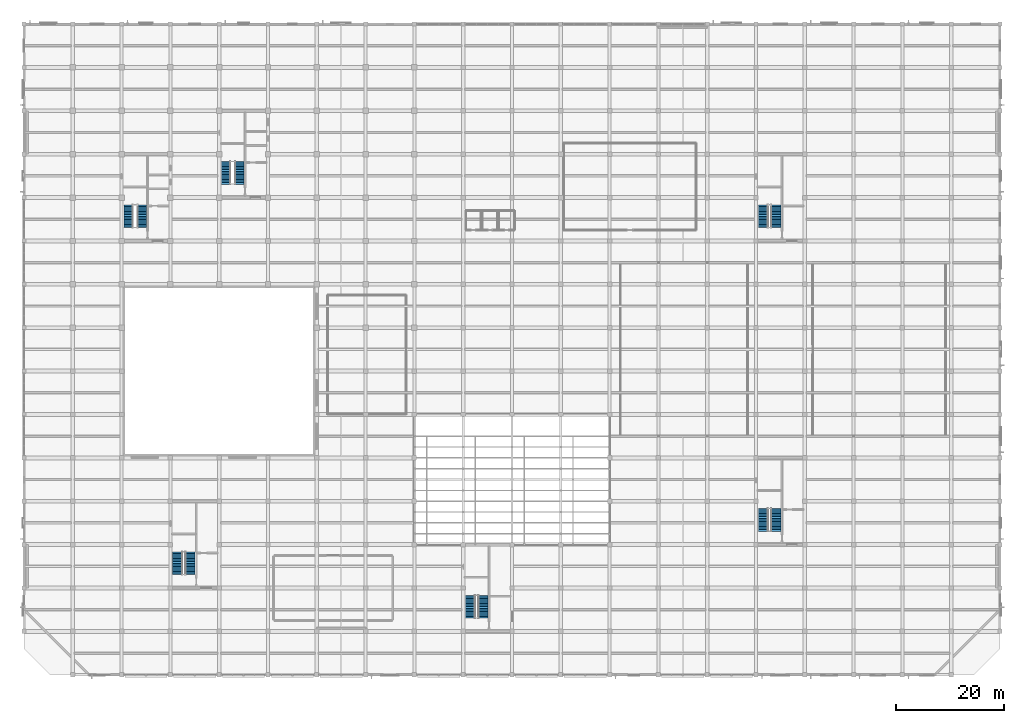
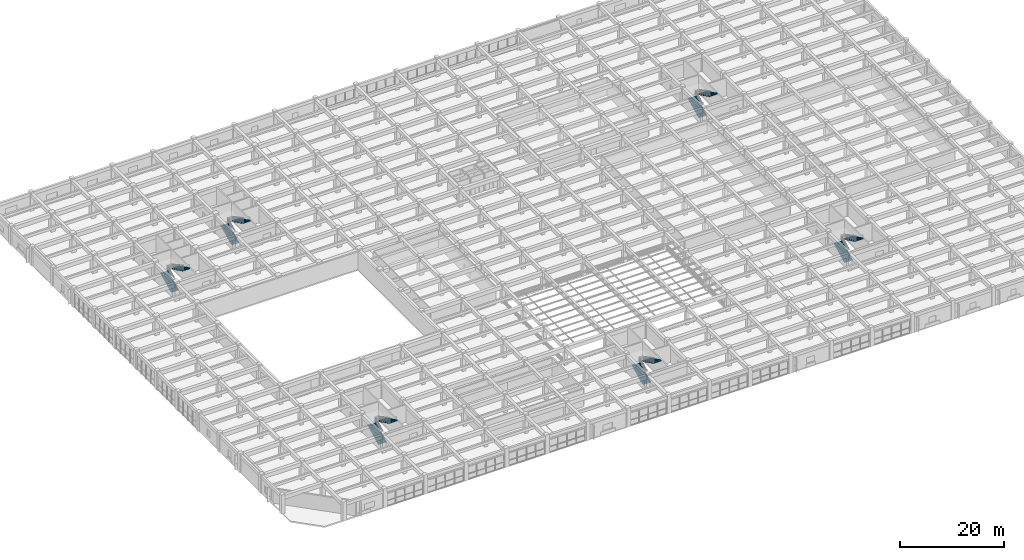
# One storey, part 35 of 50: 12 stair flights, 6 elements without a shape of their own.
"""IFC4 building model written with IfcOpenShell, lengths in metres."""

from ifc_helpers import new_model, si_unit, direction, frame, origin, place, context, subcontext, project, spatial, polyline, outline, extrude, material, type_object, element, aggregate, save


model = new_model("IFC4")

# Units and contexts
model_context = context("Model", 3, precision=1e-05, world=origin(), true_north=direction((0.0, 1.0)))
body_context = subcontext(model_context, "Body", "Model", "MODEL_VIEW")
ifc_project = project(units=[si_unit("LENGTHUNIT", "METRE"), si_unit("AREAUNIT", "SQUARE_METRE"), si_unit("VOLUMEUNIT", "CUBIC_METRE"), si_unit("PLANEANGLEUNIT", "RADIAN"), si_unit("MASSUNIT", "GRAM", prefix="KILO")], contexts=[model_context])

# Site, building, storey
site_placement = place(None, origin())
site = spatial("IfcSite", under=ifc_project, at=site_placement, CompositionType="ELEMENT")
building_placement = place(site_placement, origin())
building = spatial("IfcBuilding", under=site, at=building_placement, Name="Zaverband Oceanarium and Marine Research Institute", CompositionType="ELEMENT")
storey_placement = place(building_placement, frame((0.0, 0.0, 9.0)))
storey = spatial("IfcBuildingStorey", under=building, at=storey_placement, Name="L02", CompositionType="ELEMENT", Elevation=9.0)

# Stair, stair flights
ifc_material = material(Name="Concrete C40/50", Category="concrete")
stair_type_1 = type_object("IfcStairType", Name="STR-POD-1800-4500", PredefinedType="HALF_TURN_STAIR", material=ifc_material)
stair_1_placement = place(storey_placement, origin())
stair_1 = element("IfcStair", 1, at=stair_1_placement, inside=storey, type_object=stair_type_1, Name="Exit Stair ST-03 (L02)", PredefinedType="HALF_TURN_STAIR")
stair_flight_type_1 = type_object("IfcStairFlightType", Name="STR-POD-1800-4500-FL", PredefinedType="STRAIGHT", material=ifc_material)
stair_flight_1_placement = place(storey_placement, frame((28.330078125, 18.449951171875, 0.0), z_axis=(0.0, 0.0, 1.0), x_axis=(0.0, 1.0, 0.0)))
stair_flight_1 = element("IfcStairFlight", 2, at=stair_flight_1_placement, type_object=stair_flight_type_1, Name="Reinforced concrete stair flight ST-03-F1", NumberOfRisers=15, NumberOfTreads=14, PredefinedType="STRAIGHT", RiserHeight=0.15, TreadLength=0.3, context=body_context, shape_type="SweptSolid", body=[
    extrude(outline(polyline([(0.0, 0.0), (0.0, 0.14990234375), (0.300048828125, 0.14990234375), (0.300048828125, 0.300048828125), (0.60009765625, 0.300048828125), (0.60009765625, 0.449951171875), (0.89990234375, 0.449951171875), (0.89990234375, 0.60009765625), (1.199951171875, 0.60009765625), (1.199951171875, 0.75), (1.5, 0.75), (1.5, 0.89990234375), (1.800048828125, 0.89990234375), (1.800048828125, 1.050048828125), (2.10009765625, 1.050048828125), (2.10009765625, 1.199951171875), (2.39990234375, 1.199951171875), (2.39990234375, 1.35009765625), (2.699951171875, 1.35009765625), (2.699951171875, 1.5), (3.0, 1.5), (3.0, 1.64990234375), (3.300048828125, 1.64990234375), (3.300048828125, 1.800048828125), (3.60009765625, 1.800048828125), (3.60009765625, 1.949951171875), (3.89990234375, 1.949951171875), (3.89990234375, 2.10009765625), (4.199951171875, 2.10009765625), (4.199951171875, 2.25), (4.199951171875, 1.89892578125), (0.40234375, 0.0), (0.0, 0.0)])), frame((0.0, 0.89990234375, 0.0), z_axis=(0.0, -1.0, 0.0), x_axis=(1.0, 0.0, 0.0)), (0.0, 0.0, 1.0), 1.800048828125),
])
stair_flight_2_placement = place(storey_placement, frame((30.669921875, 22.64990234375, 2.25), z_axis=(0.0, 0.0, 1.0), x_axis=(0.0, -1.0, 0.0)))
stair_flight_2 = element("IfcStairFlight", 3, at=stair_flight_2_placement, type_object=stair_flight_type_1, Name="Reinforced concrete stair flight ST-03-F2", NumberOfRisers=15, NumberOfTreads=14, PredefinedType="STRAIGHT", RiserHeight=0.15, TreadLength=0.3, context=body_context, shape_type="SweptSolid", body=[
    extrude(outline(polyline([(0.0, 0.0), (0.0, 0.14990234375), (0.300048828125, 0.14990234375), (0.300048828125, 0.300048828125), (0.60009765625, 0.300048828125), (0.60009765625, 0.449951171875), (0.89990234375, 0.449951171875), (0.89990234375, 0.60009765625), (1.199951171875, 0.60009765625), (1.199951171875, 0.75), (1.5, 0.75), (1.5, 0.89990234375), (1.800048828125, 0.89990234375), (1.800048828125, 1.050048828125), (2.10009765625, 1.050048828125), (2.10009765625, 1.199951171875), (2.39990234375, 1.199951171875), (2.39990234375, 1.35009765625), (2.699951171875, 1.35009765625), (2.699951171875, 1.5), (3.0, 1.5), (3.0, 1.64990234375), (3.300048828125, 1.64990234375), (3.300048828125, 1.800048828125), (3.60009765625, 1.800048828125), (3.60009765625, 1.949951171875), (3.89990234375, 1.949951171875), (3.89990234375, 2.10009765625), (4.199951171875, 2.10009765625), (4.199951171875, 2.25), (4.199951171875, 1.89892578125), (0.40234375, 0.0), (0.0, 0.0)])), frame((0.0, 0.89990234375, 0.0), z_axis=(0.0, -1.0, 0.0), x_axis=(1.0, 0.0, 0.0)), (0.0, 0.0, 1.0), 1.800048828125),
])
aggregate(stair_1, [stair_flight_1, stair_flight_2])

stair_2_placement = place(storey_placement, origin())
stair_2 = element("IfcStair", 4, at=stair_2_placement, inside=storey, type_object=stair_type_1, Name="Exit Stair ST-04 (L02)", PredefinedType="HALF_TURN_STAIR")
stair_flight_3_placement = place(storey_placement, frame((136.330078125, 26.449951171875, 0.0), z_axis=(0.0, 0.0, 1.0), x_axis=(0.0, 1.0, 0.0)))
stair_flight_3 = element("IfcStairFlight", 5, at=stair_flight_3_placement, type_object=stair_flight_type_1, Name="Reinforced concrete stair flight ST-04-F1", NumberOfRisers=15, NumberOfTreads=14, PredefinedType="STRAIGHT", RiserHeight=0.15, TreadLength=0.3, context=body_context, shape_type="SweptSolid", body=[
    extrude(outline(polyline([(0.0, 0.0), (0.0, 0.14990234375), (0.300048828125, 0.14990234375), (0.300048828125, 0.300048828125), (0.60009765625, 0.300048828125), (0.60009765625, 0.449951171875), (0.89990234375, 0.449951171875), (0.89990234375, 0.60009765625), (1.199951171875, 0.60009765625), (1.199951171875, 0.75), (1.5, 0.75), (1.5, 0.89990234375), (1.800048828125, 0.89990234375), (1.800048828125, 1.050048828125), (2.10009765625, 1.050048828125), (2.10009765625, 1.199951171875), (2.39990234375, 1.199951171875), (2.39990234375, 1.35009765625), (2.699951171875, 1.35009765625), (2.699951171875, 1.5), (3.0, 1.5), (3.0, 1.64990234375), (3.300048828125, 1.64990234375), (3.300048828125, 1.800048828125), (3.60009765625, 1.800048828125), (3.60009765625, 1.949951171875), (3.89990234375, 1.949951171875), (3.89990234375, 2.10009765625), (4.199951171875, 2.10009765625), (4.199951171875, 2.25), (4.199951171875, 1.89892578125), (0.40234375, 0.0), (0.0, 0.0)])), frame((0.0, 0.89990234375, 0.0), z_axis=(0.0, -1.0, 0.0), x_axis=(1.0, 0.0, 0.0)), (0.0, 0.0, 1.0), 1.800048828125),
])
stair_flight_4_placement = place(storey_placement, frame((138.669921875, 30.64990234375, 2.25), z_axis=(0.0, 0.0, 1.0), x_axis=(0.0, -1.0, 0.0)))
stair_flight_4 = element("IfcStairFlight", 6, at=stair_flight_4_placement, type_object=stair_flight_type_1, Name="Reinforced concrete stair flight ST-04-F2", NumberOfRisers=15, NumberOfTreads=14, PredefinedType="STRAIGHT", RiserHeight=0.15, TreadLength=0.3, context=body_context, shape_type="SweptSolid", body=[
    extrude(outline(polyline([(0.0, 0.0), (0.0, 0.14990234375), (0.300048828125, 0.14990234375), (0.300048828125, 0.300048828125), (0.60009765625, 0.300048828125), (0.60009765625, 0.449951171875), (0.89990234375, 0.449951171875), (0.89990234375, 0.60009765625), (1.199951171875, 0.60009765625), (1.199951171875, 0.75), (1.5, 0.75), (1.5, 0.89990234375), (1.800048828125, 0.89990234375), (1.800048828125, 1.050048828125), (2.10009765625, 1.050048828125), (2.10009765625, 1.199951171875), (2.39990234375, 1.199951171875), (2.39990234375, 1.35009765625), (2.699951171875, 1.35009765625), (2.699951171875, 1.5), (3.0, 1.5), (3.0, 1.64990234375), (3.300048828125, 1.64990234375), (3.300048828125, 1.800048828125), (3.60009765625, 1.800048828125), (3.60009765625, 1.949951171875), (3.89990234375, 1.949951171875), (3.89990234375, 2.10009765625), (4.199951171875, 2.10009765625), (4.199951171875, 2.25), (4.199951171875, 1.89892578125), (0.40234375, 0.0), (0.0, 0.0)])), frame((0.0, 0.89990234375, 0.0), z_axis=(0.0, -1.0, 0.0), x_axis=(1.0, 0.0, 0.0)), (0.0, 0.0, 1.0), 1.800048828125),
])
aggregate(stair_2, [stair_flight_3, stair_flight_4])

stair_3_placement = place(storey_placement, origin())
stair_3 = element("IfcStair", 7, at=stair_3_placement, inside=storey, type_object=stair_type_1, Name="Exit Stair ST-05 (L02)", PredefinedType="HALF_TURN_STAIR")
stair_flight_5_placement = place(storey_placement, frame((136.330078125, 82.449951171875, 0.0), z_axis=(0.0, 0.0, 1.0), x_axis=(0.0, 1.0, 0.0)))
stair_flight_5 = element("IfcStairFlight", 8, at=stair_flight_5_placement, type_object=stair_flight_type_1, Name="Reinforced concrete stair flight ST-05-F1", NumberOfRisers=15, NumberOfTreads=14, PredefinedType="STRAIGHT", RiserHeight=0.15, TreadLength=0.3, context=body_context, shape_type="SweptSolid", body=[
    extrude(outline(polyline([(0.0, 0.0), (0.0, 0.14990234375), (0.300048828125, 0.14990234375), (0.300048828125, 0.300048828125), (0.60009765625, 0.300048828125), (0.60009765625, 0.449951171875), (0.89990234375, 0.449951171875), (0.89990234375, 0.60009765625), (1.199951171875, 0.60009765625), (1.199951171875, 0.75), (1.5, 0.75), (1.5, 0.89990234375), (1.800048828125, 0.89990234375), (1.800048828125, 1.050048828125), (2.10009765625, 1.050048828125), (2.10009765625, 1.199951171875), (2.39990234375, 1.199951171875), (2.39990234375, 1.35009765625), (2.699951171875, 1.35009765625), (2.699951171875, 1.5), (3.0, 1.5), (3.0, 1.64990234375), (3.300048828125, 1.64990234375), (3.300048828125, 1.800048828125), (3.60009765625, 1.800048828125), (3.60009765625, 1.949951171875), (3.89990234375, 1.949951171875), (3.89990234375, 2.10009765625), (4.199951171875, 2.10009765625), (4.199951171875, 2.25), (4.199951171875, 1.89892578125), (0.40234375, 0.0), (0.0, 0.0)])), frame((0.0, 0.89990234375, 0.0), z_axis=(0.0, -1.0, 0.0), x_axis=(1.0, 0.0, 0.0)), (0.0, 0.0, 1.0), 1.800048828125),
])
stair_flight_6_placement = place(storey_placement, frame((138.669921875, 86.64990234375, 2.25), z_axis=(0.0, 0.0, 1.0), x_axis=(0.0, -1.0, 0.0)))
stair_flight_6 = element("IfcStairFlight", 9, at=stair_flight_6_placement, type_object=stair_flight_type_1, Name="Reinforced concrete stair flight ST-05-F2", NumberOfRisers=15, NumberOfTreads=14, PredefinedType="STRAIGHT", RiserHeight=0.15, TreadLength=0.3, context=body_context, shape_type="SweptSolid", body=[
    extrude(outline(polyline([(0.0, 0.0), (0.0, 0.14990234375), (0.300048828125, 0.14990234375), (0.300048828125, 0.300048828125), (0.60009765625, 0.300048828125), (0.60009765625, 0.449951171875), (0.89990234375, 0.449951171875), (0.89990234375, 0.60009765625), (1.199951171875, 0.60009765625), (1.199951171875, 0.75), (1.5, 0.75), (1.5, 0.89990234375), (1.800048828125, 0.89990234375), (1.800048828125, 1.050048828125), (2.10009765625, 1.050048828125), (2.10009765625, 1.199951171875), (2.39990234375, 1.199951171875), (2.39990234375, 1.35009765625), (2.699951171875, 1.35009765625), (2.699951171875, 1.5), (3.0, 1.5), (3.0, 1.64990234375), (3.300048828125, 1.64990234375), (3.300048828125, 1.800048828125), (3.60009765625, 1.800048828125), (3.60009765625, 1.949951171875), (3.89990234375, 1.949951171875), (3.89990234375, 2.10009765625), (4.199951171875, 2.10009765625), (4.199951171875, 2.25), (4.199951171875, 1.89892578125), (0.40234375, 0.0), (0.0, 0.0)])), frame((0.0, 0.89990234375, 0.0), z_axis=(0.0, -1.0, 0.0), x_axis=(1.0, 0.0, 0.0)), (0.0, 0.0, 1.0), 1.800048828125),
])
aggregate(stair_3, [stair_flight_5, stair_flight_6])

stair_4_placement = place(storey_placement, origin())
stair_4 = element("IfcStair", 10, at=stair_4_placement, inside=storey, type_object=stair_type_1, Name="Exit Stair ST-06 (L02)", PredefinedType="HALF_TURN_STAIR")
stair_flight_7_placement = place(storey_placement, frame((82.330078125, 10.449951171875, 0.0), z_axis=(0.0, 0.0, 1.0), x_axis=(0.0, 1.0, 0.0)))
stair_flight_7 = element("IfcStairFlight", 11, at=stair_flight_7_placement, type_object=stair_flight_type_1, Name="Reinforced concrete stair flight ST-06-F1", NumberOfRisers=15, NumberOfTreads=14, PredefinedType="STRAIGHT", RiserHeight=0.15, TreadLength=0.3, context=body_context, shape_type="SweptSolid", body=[
    extrude(outline(polyline([(0.0, 0.0), (0.0, 0.14990234375), (0.300048828125, 0.14990234375), (0.300048828125, 0.300048828125), (0.60009765625, 0.300048828125), (0.60009765625, 0.449951171875), (0.89990234375, 0.449951171875), (0.89990234375, 0.60009765625), (1.199951171875, 0.60009765625), (1.199951171875, 0.75), (1.5, 0.75), (1.5, 0.89990234375), (1.800048828125, 0.89990234375), (1.800048828125, 1.050048828125), (2.10009765625, 1.050048828125), (2.10009765625, 1.199951171875), (2.39990234375, 1.199951171875), (2.39990234375, 1.35009765625), (2.699951171875, 1.35009765625), (2.699951171875, 1.5), (3.0, 1.5), (3.0, 1.64990234375), (3.300048828125, 1.64990234375), (3.300048828125, 1.800048828125), (3.60009765625, 1.800048828125), (3.60009765625, 1.949951171875), (3.89990234375, 1.949951171875), (3.89990234375, 2.10009765625), (4.199951171875, 2.10009765625), (4.199951171875, 2.25), (4.199951171875, 1.89892578125), (0.40234375, 0.0), (0.0, 0.0)])), frame((0.0, 0.89990234375, 0.0), z_axis=(0.0, -1.0, 0.0), x_axis=(1.0, 0.0, 0.0)), (0.0, 0.0, 1.0), 1.800048828125),
])
stair_flight_8_placement = place(storey_placement, frame((84.669921875, 14.64990234375, 2.25), z_axis=(0.0, 0.0, 1.0), x_axis=(0.0, -1.0, 0.0)))
stair_flight_8 = element("IfcStairFlight", 12, at=stair_flight_8_placement, type_object=stair_flight_type_1, Name="Reinforced concrete stair flight ST-06-F2", NumberOfRisers=15, NumberOfTreads=14, PredefinedType="STRAIGHT", RiserHeight=0.15, TreadLength=0.3, context=body_context, shape_type="SweptSolid", body=[
    extrude(outline(polyline([(0.0, 0.0), (0.0, 0.14990234375), (0.300048828125, 0.14990234375), (0.300048828125, 0.300048828125), (0.60009765625, 0.300048828125), (0.60009765625, 0.449951171875), (0.89990234375, 0.449951171875), (0.89990234375, 0.60009765625), (1.199951171875, 0.60009765625), (1.199951171875, 0.75), (1.5, 0.75), (1.5, 0.89990234375), (1.800048828125, 0.89990234375), (1.800048828125, 1.050048828125), (2.10009765625, 1.050048828125), (2.10009765625, 1.199951171875), (2.39990234375, 1.199951171875), (2.39990234375, 1.35009765625), (2.699951171875, 1.35009765625), (2.699951171875, 1.5), (3.0, 1.5), (3.0, 1.64990234375), (3.300048828125, 1.64990234375), (3.300048828125, 1.800048828125), (3.60009765625, 1.800048828125), (3.60009765625, 1.949951171875), (3.89990234375, 1.949951171875), (3.89990234375, 2.10009765625), (4.199951171875, 2.10009765625), (4.199951171875, 2.25), (4.199951171875, 1.89892578125), (0.40234375, 0.0), (0.0, 0.0)])), frame((0.0, 0.89990234375, 0.0), z_axis=(0.0, -1.0, 0.0), x_axis=(1.0, 0.0, 0.0)), (0.0, 0.0, 1.0), 1.800048828125),
])
aggregate(stair_4, [stair_flight_7, stair_flight_8])

stair_type_2 = type_object("IfcStairType", Name="STR-TWR-1650-4500", PredefinedType="HALF_TURN_STAIR", material=ifc_material)
stair_5_placement = place(storey_placement, origin())
stair_5 = element("IfcStair", 13, at=stair_5_placement, inside=storey, type_object=stair_type_2, Name="Exit Stair ST-01 (L02)", PredefinedType="HALF_TURN_STAIR")
stair_flight_type_2 = type_object("IfcStairFlightType", Name="STR-TWR-1650-4500-FL", PredefinedType="STRAIGHT", material=ifc_material)
stair_flight_9_placement = place(storey_placement, frame((19.2548828125, 82.449951171875, 0.0), z_axis=(0.0, 0.0, 1.0), x_axis=(0.0, 1.0, 0.0)))
stair_flight_9 = element("IfcStairFlight", 14, at=stair_flight_9_placement, type_object=stair_flight_type_2, Name="Reinforced concrete stair flight ST-01-F1", NumberOfRisers=15, NumberOfTreads=14, PredefinedType="STRAIGHT", RiserHeight=0.15, TreadLength=0.3, context=body_context, shape_type="SweptSolid", body=[
    extrude(outline(polyline([(0.0, 0.0), (0.0, 0.14990234375), (0.300048828125, 0.14990234375), (0.300048828125, 0.300048828125), (0.60009765625, 0.300048828125), (0.60009765625, 0.449951171875), (0.89990234375, 0.449951171875), (0.89990234375, 0.60009765625), (1.199951171875, 0.60009765625), (1.199951171875, 0.75), (1.5, 0.75), (1.5, 0.89990234375), (1.800048828125, 0.89990234375), (1.800048828125, 1.050048828125), (2.10009765625, 1.050048828125), (2.10009765625, 1.199951171875), (2.39990234375, 1.199951171875), (2.39990234375, 1.35009765625), (2.699951171875, 1.35009765625), (2.699951171875, 1.5), (3.0, 1.5), (3.0, 1.64990234375), (3.300048828125, 1.64990234375), (3.300048828125, 1.800048828125), (3.60009765625, 1.800048828125), (3.60009765625, 1.949951171875), (3.89990234375, 1.949951171875), (3.89990234375, 2.10009765625), (4.199951171875, 2.10009765625), (4.199951171875, 2.25), (4.199951171875, 1.89892578125), (0.40234375, 0.0), (0.0, 0.0)])), frame((0.0, 0.824951171875, 0.0), z_axis=(0.0, -1.0, 0.0), x_axis=(1.0, 0.0, 0.0)), (0.0, 0.0, 1.0), 1.64990234375),
])
stair_flight_10_placement = place(storey_placement, frame((21.7451171875, 86.64990234375, 2.25), z_axis=(0.0, 0.0, 1.0), x_axis=(0.0, -1.0, 0.0)))
stair_flight_10 = element("IfcStairFlight", 15, at=stair_flight_10_placement, type_object=stair_flight_type_2, Name="Reinforced concrete stair flight ST-01-F2", NumberOfRisers=15, NumberOfTreads=14, PredefinedType="STRAIGHT", RiserHeight=0.15, TreadLength=0.3, context=body_context, shape_type="SweptSolid", body=[
    extrude(outline(polyline([(0.0, 0.0), (0.0, 0.14990234375), (0.300048828125, 0.14990234375), (0.300048828125, 0.300048828125), (0.60009765625, 0.300048828125), (0.60009765625, 0.449951171875), (0.89990234375, 0.449951171875), (0.89990234375, 0.60009765625), (1.199951171875, 0.60009765625), (1.199951171875, 0.75), (1.5, 0.75), (1.5, 0.89990234375), (1.800048828125, 0.89990234375), (1.800048828125, 1.050048828125), (2.10009765625, 1.050048828125), (2.10009765625, 1.199951171875), (2.39990234375, 1.199951171875), (2.39990234375, 1.35009765625), (2.699951171875, 1.35009765625), (2.699951171875, 1.5), (3.0, 1.5), (3.0, 1.64990234375), (3.300048828125, 1.64990234375), (3.300048828125, 1.800048828125), (3.60009765625, 1.800048828125), (3.60009765625, 1.949951171875), (3.89990234375, 1.949951171875), (3.89990234375, 2.10009765625), (4.199951171875, 2.10009765625), (4.199951171875, 2.25), (4.199951171875, 1.89892578125), (0.40234375, 0.0), (0.0, 0.0)])), frame((0.0, 0.824951171875, 0.0), z_axis=(0.0, -1.0, 0.0), x_axis=(1.0, 0.0, 0.0)), (0.0, 0.0, 1.0), 1.64990234375),
])
aggregate(stair_5, [stair_flight_9, stair_flight_10])

stair_6_placement = place(storey_placement, origin())
stair_6 = element("IfcStair", 16, at=stair_6_placement, inside=storey, type_object=stair_type_2, Name="Exit Stair ST-02 (L02)", PredefinedType="HALF_TURN_STAIR")
stair_flight_11_placement = place(storey_placement, frame((37.2548828125, 90.449951171875, 0.0), z_axis=(0.0, 0.0, 1.0), x_axis=(0.0, 1.0, 0.0)))
stair_flight_11 = element("IfcStairFlight", 17, at=stair_flight_11_placement, type_object=stair_flight_type_2, Name="Reinforced concrete stair flight ST-02-F1", NumberOfRisers=15, NumberOfTreads=14, PredefinedType="STRAIGHT", RiserHeight=0.15, TreadLength=0.3, context=body_context, shape_type="SweptSolid", body=[
    extrude(outline(polyline([(0.0, 0.0), (0.0, 0.14990234375), (0.300048828125, 0.14990234375), (0.300048828125, 0.300048828125), (0.60009765625, 0.300048828125), (0.60009765625, 0.449951171875), (0.89990234375, 0.449951171875), (0.89990234375, 0.60009765625), (1.199951171875, 0.60009765625), (1.199951171875, 0.75), (1.5, 0.75), (1.5, 0.89990234375), (1.800048828125, 0.89990234375), (1.800048828125, 1.050048828125), (2.10009765625, 1.050048828125), (2.10009765625, 1.199951171875), (2.39990234375, 1.199951171875), (2.39990234375, 1.35009765625), (2.699951171875, 1.35009765625), (2.699951171875, 1.5), (3.0, 1.5), (3.0, 1.64990234375), (3.300048828125, 1.64990234375), (3.300048828125, 1.800048828125), (3.60009765625, 1.800048828125), (3.60009765625, 1.949951171875), (3.89990234375, 1.949951171875), (3.89990234375, 2.10009765625), (4.199951171875, 2.10009765625), (4.199951171875, 2.25), (4.199951171875, 1.89892578125), (0.40234375, 0.0), (0.0, 0.0)])), frame((0.0, 0.824951171875, 0.0), z_axis=(0.0, -1.0, 0.0), x_axis=(1.0, 0.0, 0.0)), (0.0, 0.0, 1.0), 1.64990234375),
])
stair_flight_12_placement = place(storey_placement, frame((39.7451171875, 94.64990234375, 2.25), z_axis=(0.0, 0.0, 1.0), x_axis=(0.0, -1.0, 0.0)))
stair_flight_12 = element("IfcStairFlight", 18, at=stair_flight_12_placement, type_object=stair_flight_type_2, Name="Reinforced concrete stair flight ST-02-F2", NumberOfRisers=15, NumberOfTreads=14, PredefinedType="STRAIGHT", RiserHeight=0.15, TreadLength=0.3, context=body_context, shape_type="SweptSolid", body=[
    extrude(outline(polyline([(0.0, 0.0), (0.0, 0.14990234375), (0.300048828125, 0.14990234375), (0.300048828125, 0.300048828125), (0.60009765625, 0.300048828125), (0.60009765625, 0.449951171875), (0.89990234375, 0.449951171875), (0.89990234375, 0.60009765625), (1.199951171875, 0.60009765625), (1.199951171875, 0.75), (1.5, 0.75), (1.5, 0.89990234375), (1.800048828125, 0.89990234375), (1.800048828125, 1.050048828125), (2.10009765625, 1.050048828125), (2.10009765625, 1.199951171875), (2.39990234375, 1.199951171875), (2.39990234375, 1.35009765625), (2.699951171875, 1.35009765625), (2.699951171875, 1.5), (3.0, 1.5), (3.0, 1.64990234375), (3.300048828125, 1.64990234375), (3.300048828125, 1.800048828125), (3.60009765625, 1.800048828125), (3.60009765625, 1.949951171875), (3.89990234375, 1.949951171875), (3.89990234375, 2.10009765625), (4.199951171875, 2.10009765625), (4.199951171875, 2.25), (4.199951171875, 1.89892578125), (0.40234375, 0.0), (0.0, 0.0)])), frame((0.0, 0.824951171875, 0.0), z_axis=(0.0, -1.0, 0.0), x_axis=(1.0, 0.0, 0.0)), (0.0, 0.0, 1.0), 1.64990234375),
])
aggregate(stair_6, [stair_flight_11, stair_flight_12])

save(model, "model.ifc")
